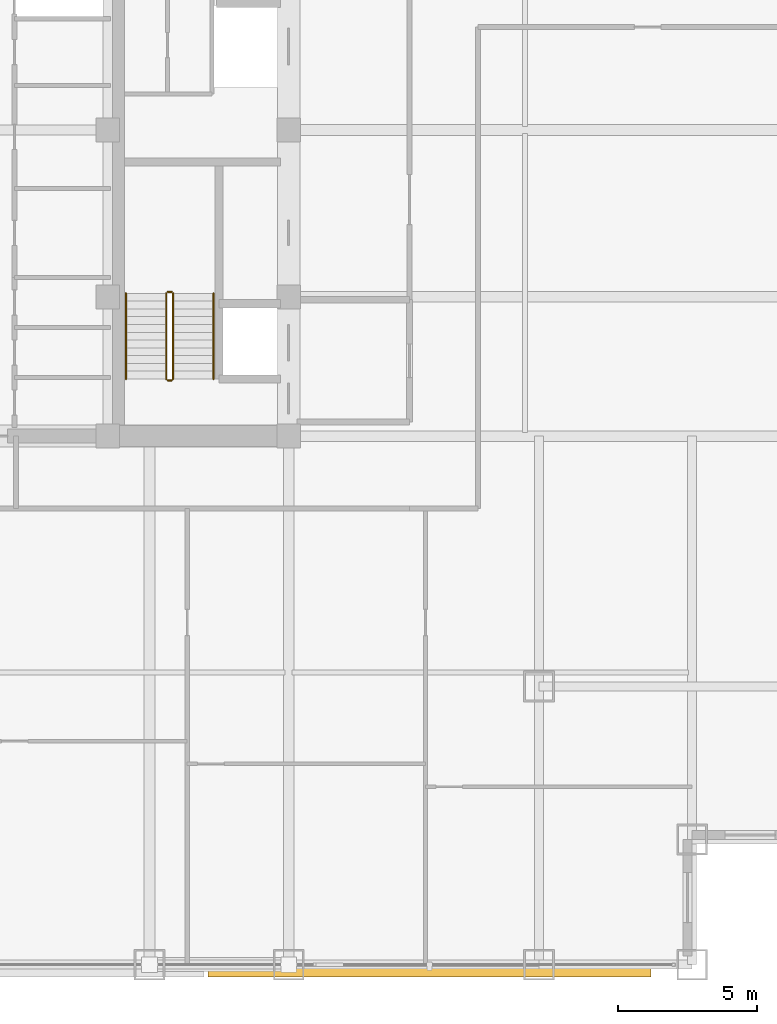
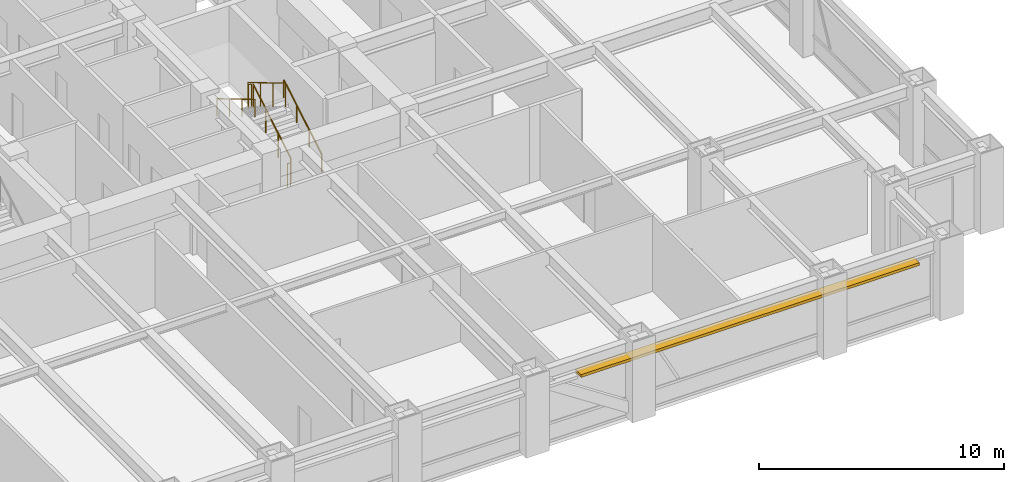
# One storey, part 26 of 28: 6 railings, 1 shading device.
"""IFC4 building model written with IfcOpenShell, lengths in metres."""

from ifc_helpers import new_model, si_unit, direction, frame, origin, origin_2d, place, context, subcontext, project, spatial, rectangle, circle, extrude, source, transform, mapped, material, layer, layer_set, type_object, element, save


model = new_model("IFC4")

# Units and contexts
model_context = context("Model", 3, precision=1e-05, world=origin(), true_north=direction((0.0, 1.0)))
body_context = subcontext(model_context, "Body", "Model", "MODEL_VIEW")
ifc_project = project(units=[si_unit("LENGTHUNIT", "METRE"), si_unit("AREAUNIT", "SQUARE_METRE"), si_unit("VOLUMEUNIT", "CUBIC_METRE"), si_unit("PLANEANGLEUNIT", "RADIAN"), si_unit("MASSUNIT", "GRAM", prefix="KILO")], contexts=[model_context])

# Site, building, storey
site_placement = place(None, origin())
site = spatial("IfcSite", under=ifc_project, at=site_placement, CompositionType="ELEMENT")
building_placement = place(site_placement, origin())
building = spatial("IfcBuilding", under=site, at=building_placement, Name="Khorayat Bourse Tower", CompositionType="ELEMENT")
storey_placement = place(building_placement, frame((0.0, 0.0, 183.10009765625)))
storey = spatial("IfcBuildingStorey", under=building, at=storey_placement, Name="L42", CompositionType="ELEMENT", Elevation=183.10009765625)

# Shading device
ifc_material_1 = material(Name="Precast concrete C45/55", Category="concrete")
ifc_layer = layer(ifc_material_1, 0.139892578125)
ifc_layer_set = layer_set([ifc_layer], Name="Precast concrete C45/55")
shading_device_type = type_object("IfcShadingDeviceType", Name="SHD-WAVE-TRAY-A", PredefinedType="USERDEFINED", material=ifc_layer_set)
shared_shape_1 = source(origin(), body_context, "Body", "SweptSolid", [
    extrude(rectangle(XDim=15.9267578125, YDim=0.461669921875, at=origin_2d()), origin(), (0.0, 0.0, 1.0), 0.139892578125),
])
shading_device_placement = place(storey_placement, frame((16.066650390625, -30.2109375, 3.02978515625), z_axis=(0.0, 0.0, 1.0), x_axis=(1.0, 0.0, 0.0)))
element("IfcShadingDevice", 1, at=shading_device_placement, inside=storey, type_object=shading_device_type, Name="L42 Sinusoidal Wave Sunshade Tray S-3", ObjectType="SUNSHADE", PredefinedType="USERDEFINED", context=body_context, shape_type="MappedRepresentation", body=[
    mapped(shared_shape_1, transform((0.0, 0.0, 0.0), scale=1.0)),
])

# Railings
ifc_material_2 = material(Name="Powder-coated steel balustrade", Category="steel")
railing_type_1 = type_object("IfcRailingType", Name="RLG-GUARD-1200", PredefinedType="GUARDRAIL", material=ifc_material_2)
shared_shape_2 = source(origin(), body_context, "Body", "SweptSolid", [
    extrude(circle(Radius=0.02392578125, at=origin_2d()), frame((0.0, 0.0, 1.17578125), z_axis=(-1.0, 0.0, 0.0), x_axis=(0.0, -1.0, 0.0)), (0.0, 0.0, 1.0), 0.150146484375),
    extrude(circle(Radius=0.02099609375, at=origin_2d()), origin(), (0.0, 0.0, 1.0), 1.15185546875),
    extrude(circle(Radius=0.02099609375, at=origin_2d()), frame((-0.150146484375, 0.0, 0.0)), (0.0, 0.0, 1.0), 1.15185546875),
])
for number, where, name in (
    (2, (6.800048828125, -5.820068359375, 2.0), "L42 ST-3 stair guard 2"),
    (3, (6.800048828125, -9.0, 0.0), "L42 ST-3 stair guard 4"),
):
    element("IfcRailing", number, at=place(storey_placement, frame(where)), inside=storey, type_object=railing_type_1, Name=name, PredefinedType="GUARDRAIL", context=body_context, shape_type="MappedRepresentation", body=[
        mapped(shared_shape_2, transform((0.0, 0.0, 0.0), scale=1.0)),
    ])
shared_shape_3 = source(origin(), body_context, "Body", "SweptSolid", [
    extrude(circle(Radius=0.02392578125, at=origin_2d()), frame((0.0, 0.0, 1.17578125), z_axis=(0.0, 0.859260807169, 0.511537745687), x_axis=(-1.0, 0.0, 0.0)), (0.0, 0.0, 1.0), 3.584228515625),
    extrude(circle(Radius=0.02099609375, at=origin_2d()), origin(), (0.0, 0.0, 1.0), 1.15185546875),
    extrude(circle(Radius=0.02099609375, at=origin_2d()), frame((0.0, 1.026611328125, 0.611083984375)), (0.0, 0.0, 1.0), 1.15185546875),
    extrude(circle(Radius=0.02099609375, at=origin_2d()), frame((0.0, 2.05322265625, 1.222412109375)), (0.0, 0.0, 1.0), 1.15185546875),
    extrude(circle(Radius=0.02099609375, at=origin_2d()), frame((0.0, 3.079833984375, 1.83349609375)), (0.0, 0.0, 1.0), 1.15185546875),
])
railing_1_placement = place(storey_placement, frame((6.85009765625, -8.949951171875, 0.16650390625)))
element("IfcRailing", 4, at=railing_1_placement, inside=storey, type_object=railing_type_1, Name="L42 ST-3 stair guard 1", PredefinedType="GUARDRAIL", context=body_context, shape_type="MappedRepresentation", body=[
    mapped(shared_shape_3, transform((0.0, 0.0, 0.0), scale=1.0)),
])
shared_shape_4 = source(origin(), body_context, "Body", "SweptSolid", [
    extrude(circle(Radius=0.02392578125, at=origin_2d()), frame((0.0, 0.0, 1.17578125), z_axis=(0.0, -0.859260807169, 0.511537745687), x_axis=(1.0, 0.0, 0.0)), (0.0, 0.0, 1.0), 3.584228515625),
    extrude(circle(Radius=0.02099609375, at=origin_2d()), origin(), (0.0, 0.0, 1.0), 1.15185546875),
    extrude(circle(Radius=0.02099609375, at=origin_2d()), frame((0.0, -1.026611328125, 0.611083984375)), (0.0, 0.0, 1.0), 1.15185546875),
    extrude(circle(Radius=0.02099609375, at=origin_2d()), frame((0.0, -2.05322265625, 1.222412109375)), (0.0, 0.0, 1.0), 1.15185546875),
    extrude(circle(Radius=0.02099609375, at=origin_2d()), frame((0.0, -3.079833984375, 1.83349609375)), (0.0, 0.0, 1.0), 1.15185546875),
])
railing_2_placement = place(storey_placement, frame((6.60009765625, -5.8701171875, 2.16650390625)))
element("IfcRailing", 5, at=railing_2_placement, inside=storey, type_object=railing_type_1, Name="L42 ST-3 stair guard 3", PredefinedType="GUARDRAIL", context=body_context, shape_type="MappedRepresentation", body=[
    mapped(shared_shape_4, transform((0.0, 0.0, 0.0), scale=1.0)),
])
ifc_material_3 = material(Name="Brushed bronze stainless-steel handrail", Category="steel")
railing_type_2 = type_object("IfcRailingType", Name="RLG-HAND-900", PredefinedType="HANDRAIL", material=ifc_material_3)
shared_shape_5 = source(origin(), body_context, "Body", "SweptSolid", [
    extrude(circle(Radius=0.02392578125, at=origin_2d()), frame((0.0, 0.0, 0.8759765625), z_axis=(0.0, 0.859260807169, 0.511537745687), x_axis=(-1.0, 0.0, 0.0)), (0.0, 0.0, 1.0), 3.584228515625),
    extrude(circle(Radius=0.02099609375, at=origin_2d()), origin(), (0.0, 0.0, 1.0), 0.851806640625),
    extrude(circle(Radius=0.02099609375, at=origin_2d()), frame((0.0, 1.026611328125, 0.611083984375)), (0.0, 0.0, 1.0), 0.851806640625),
    extrude(circle(Radius=0.02099609375, at=origin_2d()), frame((0.0, 2.05322265625, 1.222412109375)), (0.0, 0.0, 1.0), 0.851806640625),
    extrude(circle(Radius=0.02099609375, at=origin_2d()), frame((0.0, 3.079833984375, 1.83349609375)), (0.0, 0.0, 1.0), 0.851806640625),
])
railing_3_placement = place(storey_placement, frame((8.300048828125, -8.949951171875, 0.16650390625)))
element("IfcRailing", 6, at=railing_3_placement, inside=storey, type_object=railing_type_2, Name="L42 ST-3 stair handrail 1", PredefinedType="HANDRAIL", context=body_context, shape_type="MappedRepresentation", body=[
    mapped(shared_shape_5, transform((0.0, 0.0, 0.0), scale=1.0)),
])
shared_shape_6 = source(origin(), body_context, "Body", "SweptSolid", [
    extrude(circle(Radius=0.02392578125, at=origin_2d()), frame((0.0, 0.0, 0.8759765625), z_axis=(0.0, -0.859260807169, 0.511537745687), x_axis=(1.0, 0.0, 0.0)), (0.0, 0.0, 1.0), 3.584228515625),
    extrude(circle(Radius=0.02099609375, at=origin_2d()), origin(), (0.0, 0.0, 1.0), 0.851806640625),
    extrude(circle(Radius=0.02099609375, at=origin_2d()), frame((0.0, -1.026611328125, 0.611083984375)), (0.0, 0.0, 1.0), 0.851806640625),
    extrude(circle(Radius=0.02099609375, at=origin_2d()), frame((0.0, -2.05322265625, 1.222412109375)), (0.0, 0.0, 1.0), 0.851806640625),
    extrude(circle(Radius=0.02099609375, at=origin_2d()), frame((0.0, -3.079833984375, 1.83349609375)), (0.0, 0.0, 1.0), 0.851806640625),
])
railing_4_placement = place(storey_placement, frame((5.14990234375, -5.8701171875, 2.16650390625)))
element("IfcRailing", 7, at=railing_4_placement, inside=storey, type_object=railing_type_2, Name="L42 ST-3 stair handrail 2", PredefinedType="HANDRAIL", context=body_context, shape_type="MappedRepresentation", body=[
    mapped(shared_shape_6, transform((0.0, 0.0, 0.0), scale=1.0)),
])

save(model, "model.ifc")
